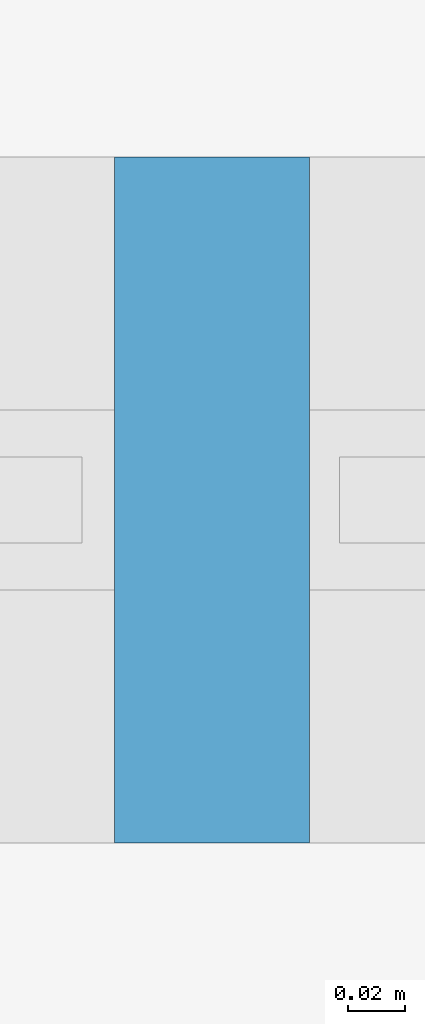
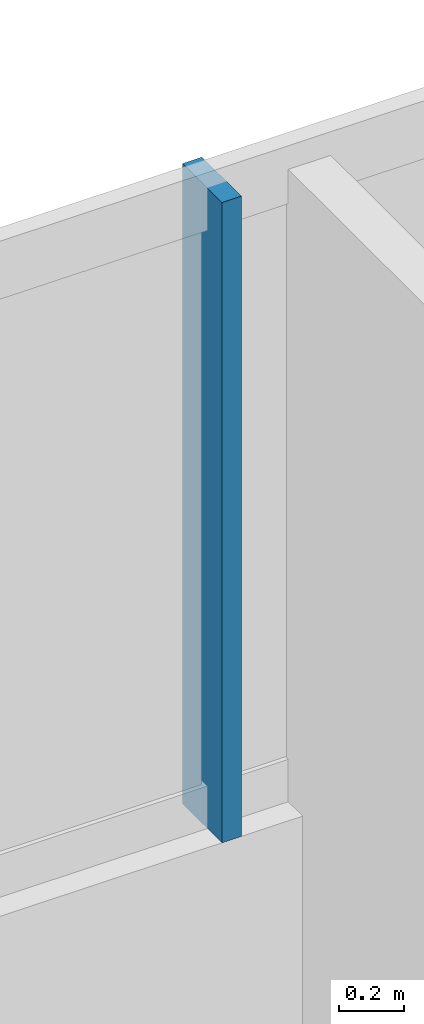
# One storey, part 8 of 21: 1 member, 1 element without a shape of its own.
"""IFC4 building model written with IfcOpenShell, lengths in metres."""

from ifc_helpers import new_model, si_unit, derived_unit, direction, frame, origin, origin_2d, place, context, subcontext, project, spatial, rectangle, extrude, material, material_profile, profile_set, type_object, element, aggregate, save


model = new_model("IFC4")

# Units and contexts
model_context = context("Model", 3, precision=1e-05, world=origin(), true_north=direction((0.0, 1.0)))
body_context = subcontext(model_context, "Body", "Model", "MODEL_VIEW")
ifc_project = project(units=[si_unit("LENGTHUNIT", "METRE"), si_unit("AREAUNIT", "SQUARE_METRE"), si_unit("VOLUMEUNIT", "CUBIC_METRE"), si_unit("PLANEANGLEUNIT", "RADIAN"), si_unit("MASSUNIT", "GRAM", prefix="KILO"), derived_unit("THERMALTRANSMITTANCEUNIT", [(si_unit("POWERUNIT", "WATT"), 1), (si_unit("LENGTHUNIT", "METRE"), -2), (si_unit("THERMODYNAMICTEMPERATUREUNIT", "KELVIN"), -1)])], contexts=[model_context])

# Site, building, storey
site_placement = place(None, origin())
site = spatial("IfcSite", under=ifc_project, at=site_placement, CompositionType="ELEMENT")
building_placement = place(site_placement, origin())
building = spatial("IfcBuilding", under=site, at=building_placement, Name="Koralith Skygarden Medical Center", CompositionType="ELEMENT")
storey_placement = place(building_placement, frame((0.0, 0.0, 9.89990234375)))
storey = spatial("IfcBuildingStorey", under=building, at=storey_placement, Name="L02", CompositionType="ELEMENT", Elevation=9.89990234375)

# Curtain wall, member
ifc_material_1 = material(Name="Clear Laminated Glass", Category="glass")
curtain_wall_type = type_object("IfcCurtainWallType", Name="CW-1 Transit & Podium Acoustic Curtain Wall", PredefinedType="NOTDEFINED", material=ifc_material_1)
curtain_wall_placement = place(storey_placement, origin())
curtain_wall = element("IfcCurtainWall", 1, at=curtain_wall_placement, inside=storey, type_object=curtain_wall_type, Name="Curtain Wall CW-L02-N", PredefinedType="NOTDEFINED")
ifc_material_2 = material(Name="Aluminium 6063-T6", Category="aluminium")
ifc_material_profile = material_profile(ifc_material_2, rectangle(XDim=0.068115234375, YDim=0.239990234375, at=origin_2d()), Name="MUL68X240")
ifc_profile_set = profile_set([ifc_material_profile], Name="Aluminium 6063-T6")
member_type = type_object("IfcMemberType", Name="CW-1 Extruded Mullion 68x240", PredefinedType="MULLION", material=ifc_profile_set)
member_placement = place(storey_placement, frame((47.8740234375, 51.3798828125, 0.85009765625), z_axis=(0.0, 0.0, 1.0), x_axis=(1.0, 0.0, 0.0)))
member = element("IfcMember", 2, at=member_placement, type_object=member_type, Name="CW-L02-N Mullion 2", PredefinedType="MULLION", context=body_context, shape_type="SweptSolid", body=[
    extrude(rectangle(XDim=0.068115234375, YDim=0.239990234375, at=origin_2d()), origin(), (0.0, 0.0, 1.0), 2.389892578125),
])
aggregate(curtain_wall, [member])

save(model, "model.ifc")
